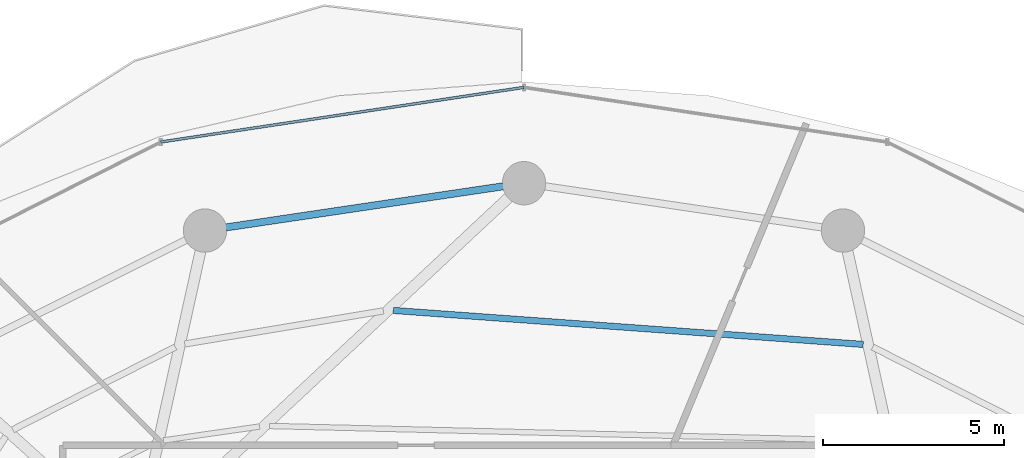
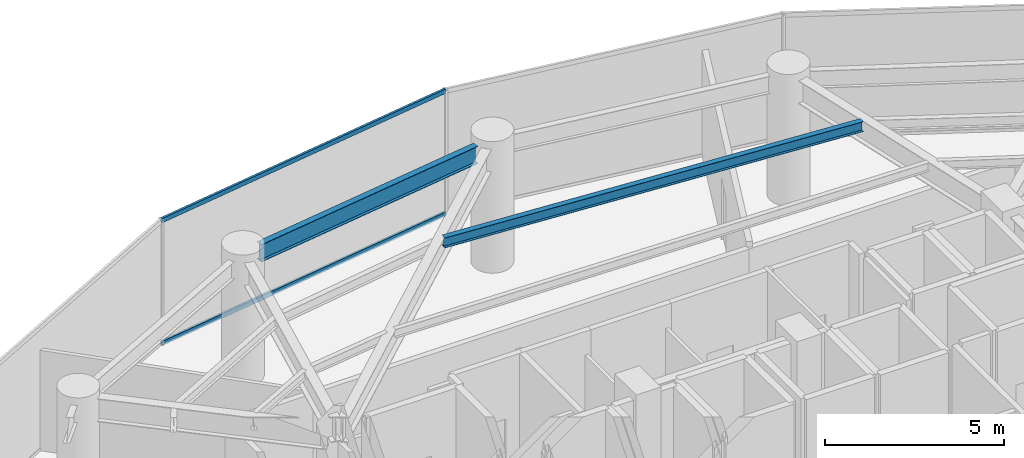
# One storey, part 16 of 27: 2 beams, 2 members, 1 element without a shape of its own.
"""IFC4 building model written with IfcOpenShell, lengths in metres."""

import ifcopenshell
import ifcopenshell.guid

model = None  # the IFC model being written
_history = None  # IfcOwnerHistory: only IFC2X3 demands one
_inside = {}  # id of a spatial element -> (the spatial element, [elements in it])
_under = {}  # id of a project, library or spatial element -> (it, [spatial elements below it])
_declared = {}  # id of a project -> (the project, [libraries it declares])
_typed = {}  # id of a type object -> (the type object, [elements of that type])
_made_of = {}  # id of a material, layer set ... -> (it, [elements and type objects made of it])


def new_model(schema):
    """Start an empty IFC model of exactly this schema.

    Asked for "IFC4X3", IfcOpenShell would pick the latest addendum, in which some entities
    have other attributes; the version numbers below select the first issue.
    IFC2X3 requires an IfcOwnerHistory on every rooted entity: one is made here for all.
    """
    global model, _history
    if schema == "IFC4X3":
        model = ifcopenshell.file(schema_version=(4, 3, 0, 0))
    else:
        model = ifcopenshell.file(schema=schema)
    _inside.clear()
    _under.clear()
    _declared.clear()
    _typed.clear()
    _made_of.clear()
    _history = None
    if model.schema == "IFC2X3":
        org = make("IfcOrganization", Name="unknown")
        user = make(
            "IfcPersonAndOrganization",
            ThePerson=make("IfcPerson", FamilyName="unknown"),
            TheOrganization=org,
        )
        app = make(
            "IfcApplication",
            ApplicationDeveloper=org,
            Version="unknown",
            ApplicationFullName="unknown",
            ApplicationIdentifier="unknown",
        )
        _history = make(
            "IfcOwnerHistory",
            OwningUser=user,
            OwningApplication=app,
            ChangeAction="ADDED",
            CreationDate=0,
        )
    return model


def make(cls, **values):
    """One entity of the class cls with the attributes given. An attribute that is None is left unset."""
    return model.create_entity(
        cls, **{name: value for name, value in values.items() if value is not None}
    )


def rooted(cls, **values):
    """An entity with a GlobalId (a new one), such as an element, a storey or a relation."""
    return make(cls, GlobalId=ifcopenshell.guid.new(), OwnerHistory=_history, **values)


def si_unit(unit_type, name, prefix=None):
    """IfcSIUnit, for example si_unit("LENGTHUNIT", "METRE", prefix="MILLI")."""
    return make("IfcSIUnit", UnitType=unit_type, Prefix=prefix, Name=name)


def assignment(units):
    """IfcUnitAssignment: the units of a project."""
    return None if units is None else make("IfcUnitAssignment", Units=units)


def point(xyz):
    """IfcCartesianPoint."""
    return None if xyz is None else make("IfcCartesianPoint", Coordinates=xyz)


def direction(xyz):
    """IfcDirection."""
    return None if xyz is None else make("IfcDirection", DirectionRatios=xyz)


def frame(location, z_axis=None, x_axis=None):
    """IfcAxis2Placement3D, a coordinate frame: its origin and axes. An axis left out is left unset."""
    return make(
        "IfcAxis2Placement3D",
        Location=point(location),
        Axis=direction(z_axis),
        RefDirection=direction(x_axis),
    )


def frame_2d(location, x_axis=None):
    """IfcAxis2Placement2D, a coordinate frame in the plane: its origin and x axis."""
    return make(
        "IfcAxis2Placement2D", Location=point(location), RefDirection=direction(x_axis)
    )


def origin():
    """The frame at (0, 0, 0) with its axes left unset."""
    return frame((0.0, 0.0, 0.0))


def origin_2d():
    """The frame at (0, 0) in the plane with its x axis left unset."""
    return frame_2d((0.0, 0.0))


def place(relative_to, where):
    """IfcLocalPlacement: puts the frame where relative to a parent placement (None: the world)."""
    return make(
        "IfcLocalPlacement", PlacementRelTo=relative_to, RelativePlacement=where
    )


def context(
    kind, dimensions, precision=None, world=None, true_north=None, identifier=None
):
    """IfcGeometricRepresentationContext, for example the 3D "Model" context."""
    return make(
        "IfcGeometricRepresentationContext",
        ContextIdentifier=identifier,
        ContextType=kind,
        CoordinateSpaceDimension=dimensions,
        Precision=precision,
        WorldCoordinateSystem=world,
        TrueNorth=true_north,
    )


def subcontext(parent, identifier, kind, view, scale=None):
    """IfcGeometricRepresentationSubContext, for example "Body" below "Model"."""
    return make(
        "IfcGeometricRepresentationSubContext",
        ContextIdentifier=identifier,
        ContextType=kind,
        ParentContext=parent,
        TargetScale=scale,
        TargetView=view,
    )


def project(units=None, contexts=None):
    """IfcProject with its units and contexts."""
    return rooted(
        "IfcProject",
        Name="project",
        RepresentationContexts=contexts,
        UnitsInContext=assignment(units),
    )


def spatial(cls, under=None, at=None, **own):
    """A site, building, storey or space (cls), placed at a placement, below another one or the project."""
    s = rooted(cls, ObjectPlacement=at, **own)
    if under is not None:
        _under.setdefault(under.id(), (under, []))[1].append(s)
    return s


def profile(cls, at=None, kind="AREA", **sizes):
    """A parametric profile (cls). Its sizes go by their IFC names, for example OverallWidth=200.0."""
    return make(cls, ProfileType=kind, Position=at, **sizes)


def hollow_rectangle(**sizes):
    """IfcRectangleHollowProfileDef."""
    return profile("IfcRectangleHollowProfileDef", **sizes)


def i_section(**sizes):
    """IfcIShapeProfileDef."""
    return profile("IfcIShapeProfileDef", **sizes)


def extrude(swept, where, along, depth):
    """IfcExtrudedAreaSolid: the profile swept, set in the frame where, extruded along a direction by depth."""
    return make(
        "IfcExtrudedAreaSolid",
        SweptArea=swept,
        Position=where,
        ExtrudedDirection=direction(along),
        Depth=depth,
    )


def shape(context_of_items, identifier, shape_type, items):
    """IfcShapeRepresentation: the items that make up one representation, for example the "Body"."""
    return make(
        "IfcShapeRepresentation",
        ContextOfItems=context_of_items,
        RepresentationIdentifier=identifier,
        RepresentationType=shape_type,
        Items=items,
    )


def material(Name=None, Category=None):
    """IfcMaterial."""
    return make("IfcMaterial", Name=Name, Category=Category)


def material_profile(
    of_material, cross_section, Name=None, Category=None, Priority=None
):
    """IfcMaterialProfile: a cross section and its material."""
    return make(
        "IfcMaterialProfile",
        Name=Name,
        Material=of_material,
        Profile=cross_section,
        Priority=Priority,
        Category=Category,
    )


def profile_set(profiles, Name=None, composite=None):
    """IfcMaterialProfileSet."""
    return make(
        "IfcMaterialProfileSet",
        Name=Name,
        MaterialProfiles=profiles,
        CompositeProfile=composite,
    )


def made_of(thing, what):
    """Note that an element or type object is made of a material, layer set ...; save() writes the relation."""
    if what is not None:
        _made_of.setdefault(what.id(), (what, []))[1].append(thing)
    return thing


def type_object(cls, material=None, **own):
    """A type object (cls), such as IfcWallType, which elements share."""
    return made_of(rooted(cls, **own), material)


def element(
    cls,
    number,
    at=None,
    inside=None,
    cuts=None,
    type_object=None,
    material=None,
    context=None,
    identifier="Body",
    shape_type=None,
    held_by="IfcProductDefinitionShape",
    body=None,
    shapes=None,
    **own,
):
    """One element of the class cls, such as IfcWall. Its Tag is "e" and its number.

    at: its placement. inside: the storey or other place that contains it. cuts: it is an
    opening in that element (IfcRelVoidsElement). A single representation is given by context,
    identifier, shape_type and body (its items); several are given by shapes. held_by: the class
    of the entity that holds the representations. save() writes the other relations.
    """
    e = rooted(cls, Tag="e%d" % number, ObjectPlacement=at, **own)
    if body is not None:
        shapes = [shape(context, identifier, shape_type, body)]
    if shapes is not None:
        e.Representation = make(held_by, Representations=shapes)
    if inside is not None:
        _inside.setdefault(inside.id(), (inside, []))[1].append(e)
    if cuts is not None:
        rooted(
            "IfcRelVoidsElement", RelatingBuildingElement=cuts, RelatedOpeningElement=e
        )
    if type_object is not None:
        _typed.setdefault(type_object.id(), (type_object, []))[1].append(e)
    return made_of(e, material)


def aggregate(whole, parts):
    """IfcRelAggregates: a whole, such as a stair, and the parts it consists of."""
    return rooted("IfcRelAggregates", RelatingObject=whole, RelatedObjects=parts)


def save(model, path):
    """Write the relations noted so far, then the file.

    IfcRelAggregates (storeys below a building ...), IfcRelContainedInSpatialStructure (elements
    in a storey), IfcRelDefinesByType, IfcRelAssociatesMaterial and IfcRelDeclares: one each for
    every whole, place, type object, material and project.
    """
    for whole, parts in _under.values():
        aggregate(whole, parts)
    for where, things in _inside.values():
        rooted(
            "IfcRelContainedInSpatialStructure",
            RelatedElements=things,
            RelatingStructure=where,
        )
    for kind, things in _typed.values():
        rooted("IfcRelDefinesByType", RelatedObjects=things, RelatingType=kind)
    for what, things in _made_of.values():
        rooted("IfcRelAssociatesMaterial", RelatedObjects=things, RelatingMaterial=what)
    for by, libraries in _declared.values():
        rooted("IfcRelDeclares", RelatingContext=by, RelatedDefinitions=libraries)
    model.write(path)


model = new_model("IFC4")

# Units and contexts
model_context = context("Model", 3, precision=1e-05, world=origin(), true_north=direction((0.0, 1.0)))
body_context = subcontext(model_context, "Body", "Model", "MODEL_VIEW")
ifc_project = project(units=[si_unit("LENGTHUNIT", "METRE"), si_unit("AREAUNIT", "SQUARE_METRE"), si_unit("VOLUMEUNIT", "CUBIC_METRE"), si_unit("PLANEANGLEUNIT", "RADIAN"), si_unit("MASSUNIT", "GRAM", prefix="KILO")], contexts=[model_context])

# Site, building, storey
site_placement = place(None, origin())
site = spatial("IfcSite", under=ifc_project, at=site_placement, CompositionType="ELEMENT")
building_placement = place(site_placement, origin())
building = spatial("IfcBuilding", under=site, at=building_placement, Name="Vorneva Point Tower", CompositionType="ELEMENT")
storey_placement = place(building_placement, frame((0.0, 0.0, 74.300048828125)))
storey = spatial("IfcBuildingStorey", under=building, at=storey_placement, Name="L19", CompositionType="ELEMENT", Elevation=74.300048828125)

# Beams
ifc_material_1 = material(Name="Steel S355", Category="steel")
ifc_material_profile_1 = material_profile(ifc_material_1, i_section(OverallWidth=0.174072265625, OverallDepth=0.345947265625, WebThickness=0.006103515625, FlangeThickness=0.009033203125, at=origin_2d()), Name="35B1")
ifc_profile_set_1 = profile_set([ifc_material_profile_1], Name="Steel S355")
beam_type_1 = type_object("IfcBeamType", Name="BM-SEC-35B1", PredefinedType="BEAM", material=ifc_profile_set_1)
beam_1_placement = place(storey_placement, frame((47.380615234375, 38.7412109375, 4.06689453125), z_axis=(-0.997394866982, 0.072135146204, 0.0), x_axis=(-0.072135146204, -0.997394866982, 0.0)))
element("IfcBeam", 1, at=beam_1_placement, inside=storey, type_object=beam_type_1, Name="L19 Secondary Floor Beam 1.04", PredefinedType="BEAM", context=body_context, shape_type="SweptSolid", body=[
    extrude(i_section(OverallWidth=0.174072265625, OverallDepth=0.345947265625, WebThickness=0.006103515625, FlangeThickness=0.009033203125, at=origin_2d()), origin(), (0.0, 0.0, 1.0), 13.0302734375),
])
ifc_material_profile_2 = material_profile(ifc_material_1, i_section(OverallWidth=0.198974609375, OverallDepth=0.595947265625, WebThickness=0.010009765625, FlangeThickness=0.014892578125, at=origin_2d()), Name="60B1")
ifc_profile_set_2 = profile_set([ifc_material_profile_2], Name="Steel S355")
beam_type_2 = type_object("IfcBeamType", Name="BM-SPN-60B1", PredefinedType="SPANDREL", material=ifc_profile_set_2)
beam_2_placement = place(storey_placement, frame((37.42138671875, 43.114013671875, 3.94189453125), z_axis=(-0.989164004747, -0.146814753046, 0.0), x_axis=(0.146814753046, -0.989164004747, 0.0)))
element("IfcBeam", 2, at=beam_2_placement, inside=storey, type_object=beam_type_2, Name="L19 Perimeter Spandrel Ring Beam 05", PredefinedType="SPANDREL", context=body_context, shape_type="SweptSolid", body=[
    extrude(i_section(OverallWidth=0.198974609375, OverallDepth=0.595947265625, WebThickness=0.010009765625, FlangeThickness=0.014892578125, at=origin_2d()), origin(), (0.0, 0.0, 1.0), 7.74755859375),
])

# Curtain wall, members
ifc_material_2 = material(Name="Pale anodised aluminium", Category="aluminium")
curtain_wall_type = type_object("IfcCurtainWallType", Name="CW-SKY-SYS", PredefinedType="NOTDEFINED", material=ifc_material_2)
curtain_wall_placement = place(storey_placement, origin())
curtain_wall = element("IfcCurtainWall", 3, at=curtain_wall_placement, inside=storey, type_object=curtain_wall_type, Name="L19 Unitised Curtain Wall CW-L19-R02", PredefinedType="NOTDEFINED")
ifc_material_profile_3 = material_profile(ifc_material_2, hollow_rectangle(XDim=0.074951171875, YDim=0.14990234375, WallThickness=0.00390625, at=origin_2d()), Name="AL-TRN 150x75x4")
ifc_profile_set_3 = profile_set([ifc_material_profile_3], Name="Pale anodised aluminium")
member_type = type_object("IfcMemberType", Name="CW-TRN-150", PredefinedType="USERDEFINED", material=ifc_profile_set_3)
member_1_placement = place(storey_placement, frame((38.0, 45.85009765625, 0.02001953125), z_axis=(-0.988875982167, -0.148742367512, 0.0), x_axis=(0.148742367512, -0.988875982167, 0.0)))
member_1 = element("IfcMember", 4, at=member_1_placement, type_object=member_type, Name="CW-L19-R02 Transom 03.1", ObjectType="TRANSOM", PredefinedType="USERDEFINED", context=body_context, shape_type="SweptSolid", body=[
    extrude(hollow_rectangle(XDim=0.074951171875, YDim=0.14990234375, WallThickness=0.00390625, at=origin_2d()), origin(), (0.0, 0.0, 1.0), 10.158447265625),
])
member_2_placement = place(storey_placement, frame((38.0, 45.85009765625, 4.219970703125), z_axis=(-0.988875982167, -0.148742367512, 0.0), x_axis=(0.148742367512, -0.988875982167, 0.0)))
member_2 = element("IfcMember", 5, at=member_2_placement, type_object=member_type, Name="CW-L19-R02 Transom 03.2", ObjectType="TRANSOM", PredefinedType="USERDEFINED", context=body_context, shape_type="SweptSolid", body=[
    extrude(hollow_rectangle(XDim=0.074951171875, YDim=0.14990234375, WallThickness=0.00390625, at=origin_2d()), origin(), (0.0, 0.0, 1.0), 10.158447265625),
])
aggregate(curtain_wall, [member_1, member_2])

save(model, "model.ifc")
